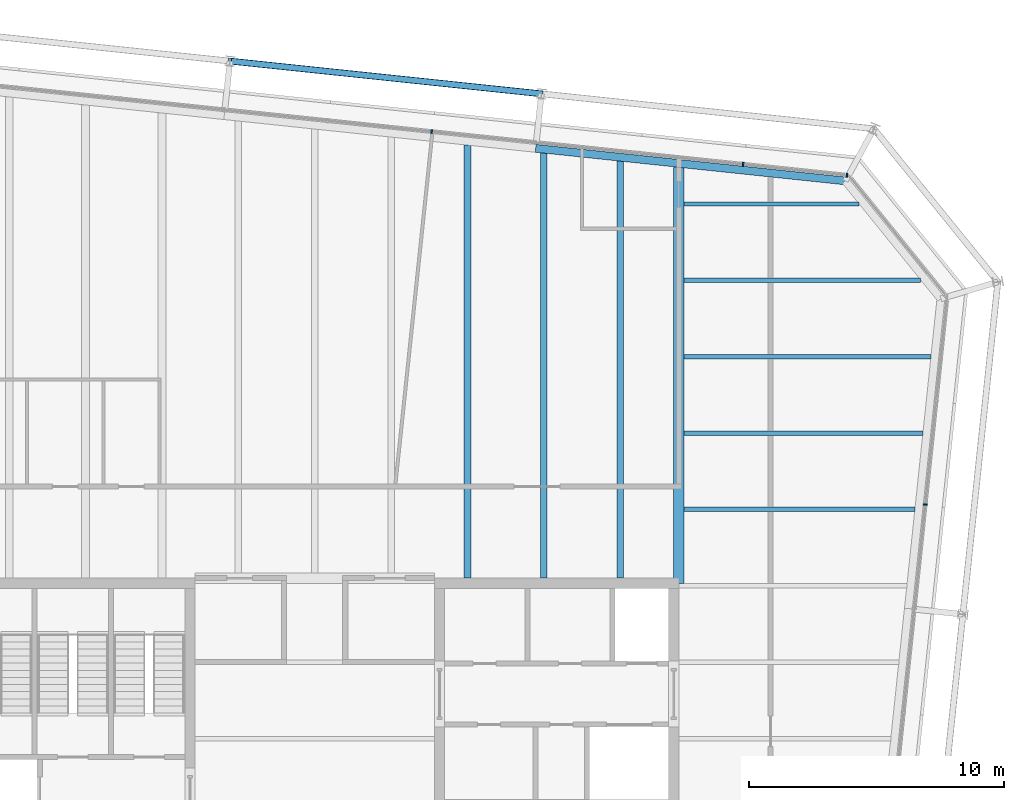
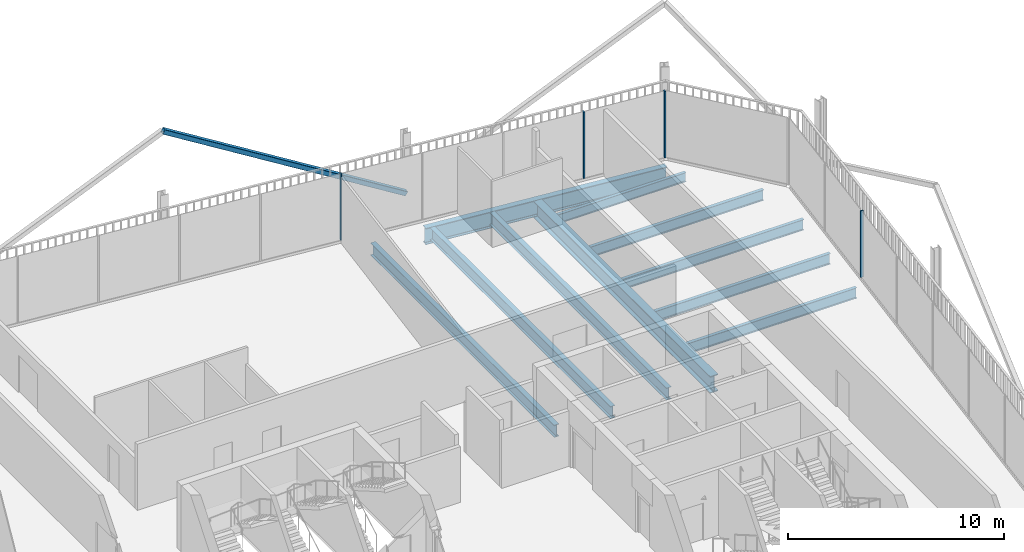
# One storey, part 14 of 21: 10 beams, 5 members, 2 elements without a shape of their own.
"""IFC4 building model written with IfcOpenShell, lengths in metres."""

from ifc_helpers import new_model, si_unit, direction, frame, origin, origin_2d, place, context, subcontext, project, spatial, rectangle, hollow_rectangle, i_section, extrude, material, layer, layer_set, material_profile, profile_set, type_object, element, aggregate, save


model = new_model("IFC4")

# Units and contexts
model_context = context("Model", 3, precision=1e-05, world=origin(), true_north=direction((0.0, 1.0)))
body_context = subcontext(model_context, "Body", "Model", "MODEL_VIEW")
ifc_project = project(units=[si_unit("LENGTHUNIT", "METRE"), si_unit("AREAUNIT", "SQUARE_METRE"), si_unit("VOLUMEUNIT", "CUBIC_METRE"), si_unit("PLANEANGLEUNIT", "RADIAN"), si_unit("MASSUNIT", "GRAM", prefix="KILO")], contexts=[model_context])

# Site, building, storey
site_placement = place(None, origin())
site = spatial("IfcSite", under=ifc_project, at=site_placement, CompositionType="ELEMENT")
building_placement = place(site_placement, origin())
building = spatial("IfcBuilding", under=site, at=building_placement, Name="Millrace Tower", CompositionType="ELEMENT")
storey_placement = place(building_placement, frame((0.0, 0.0, 291.60009765625)))
storey = spatial("IfcBuildingStorey", under=building, at=storey_placement, Name="L67", CompositionType="ELEMENT", Elevation=291.60009765625)

# Curtain wall, member
ifc_material_1 = material(Name="Aluminium and glass", Category="aluminium")
ifc_layer = layer(ifc_material_1, 0.14990234375)
ifc_layer_set = layer_set([ifc_layer], Name="Aluminium and glass")
curtain_wall_type = type_object("IfcCurtainWallType", Name="CW-1 office vision curtain wall", PredefinedType="NOTDEFINED", material=ifc_layer_set)
placement = place(storey_placement, origin())
curtain_wall_1 = element("IfcCurtainWall", 1, at=placement, inside=storey, type_object=curtain_wall_type, Name="Curtain wall E-F04 L67", PredefinedType="NOTDEFINED")
ifc_material_2 = material(Name="Aluminium", Category="aluminium")
ifc_material_profile_1 = material_profile(ifc_material_2, rectangle(XDim=0.06494140625, YDim=0.14990234375, at=origin_2d()))
ifc_profile_set_1 = profile_set([ifc_material_profile_1], Name="Aluminium")
member_type_1 = type_object("IfcMemberType", Name="CW-1 office vision curtain wall mullion", PredefinedType="MULLION", material=ifc_profile_set_1)
member_1_placement = place(storey_placement, frame((23.974853515625, 12.1904296875, 0.139892578125), z_axis=(0.0, 0.0, 1.0), x_axis=(0.104528455196, 0.994521896217, 0.0)))
member_1 = element("IfcMember", 2, at=member_1_placement, type_object=member_type_1, Name="CW1 mullion E-F04.8", PredefinedType="MULLION", context=body_context, shape_type="SweptSolid", body=[
    extrude(rectangle(XDim=0.06494140625, YDim=0.14990234375, at=origin_2d()), origin(), (0.0, 0.0, 1.0), 3.760009765625),
])
aggregate(curtain_wall_1, [member_1])

# Curtain wall, members
curtain_wall_2 = element("IfcCurtainWall", 3, at=placement, inside=storey, type_object=curtain_wall_type, Name="Curtain wall E-F06 L67", PredefinedType="NOTDEFINED")
member_2_placement = place(storey_placement, frame((20.902587890625, 25.124755859375, 0.139892578125), z_axis=(0.0, 0.0, 1.0), x_axis=(-0.994521896217, 0.104528455196, 0.0)))
member_2 = element("IfcMember", 4, at=member_2_placement, type_object=member_type_1, Name="CW1 mullion E-F06.1", PredefinedType="MULLION", context=body_context, shape_type="SweptSolid", body=[
    extrude(rectangle(XDim=0.06494140625, YDim=0.14990234375, at=origin_2d()), origin(), (0.0, 0.0, 1.0), 3.760009765625),
])
member_3_placement = place(storey_placement, frame((16.824951171875, 25.553466796875, 0.139892578125), z_axis=(0.0, 0.0, 1.0), x_axis=(-0.994521896217, 0.104528455196, 0.0)))
member_3 = element("IfcMember", 5, at=member_3_placement, type_object=member_type_1, Name="CW1 mullion E-F06.2", PredefinedType="MULLION", context=body_context, shape_type="SweptSolid", body=[
    extrude(rectangle(XDim=0.06494140625, YDim=0.14990234375, at=origin_2d()), origin(), (0.0, 0.0, 1.0), 3.760009765625),
])
member_4_placement = place(storey_placement, frame((4.59228515625, 26.839111328125, 0.139892578125), z_axis=(0.0, 0.0, 1.0), x_axis=(-0.994521896217, 0.104528455196, 0.0)))
member_4 = element("IfcMember", 6, at=member_4_placement, type_object=member_type_1, Name="CW1 mullion E-F06.5", PredefinedType="MULLION", context=body_context, shape_type="SweptSolid", body=[
    extrude(rectangle(XDim=0.06494140625, YDim=0.14990234375, at=origin_2d()), origin(), (0.0, 0.0, 1.0), 3.760009765625),
])
aggregate(curtain_wall_2, [member_2, member_3, member_4])

# Member
ifc_material_3 = material(Name="Steel ASTM A500 Grade C", Category="steel")
ifc_material_profile_2 = material_profile(ifc_material_3, hollow_rectangle(XDim=0.25390625, YDim=0.25390625, WallThickness=0.0126953125, InnerFilletRadius=0.00634765625, OuterFilletRadius=0.01904296875, at=origin_2d()))
ifc_profile_set_2 = profile_set([ifc_material_profile_2], Name="Steel ASTM A500 Grade C")
member_type_2 = type_object("IfcMemberType", Name="Exoskeleton brace HSS10x10x1/2", PredefinedType="BRACE", material=ifc_profile_set_2)
member_5_placement = place(storey_placement, frame((8.9033203125, 28.321533203125, 0.39990234375), z_axis=(-0.864351522622, 0.090842732624, 0.494615045537), x_axis=(-0.104523600289, -0.994522406476, 0.0)))
element("IfcMember", 7, at=member_5_placement, inside=storey, type_object=member_type_2, Name="BRC-E-L67-11", PredefinedType="BRACE", context=body_context, shape_type="SweptSolid", body=[
    extrude(hollow_rectangle(XDim=0.25390625, YDim=0.25390625, WallThickness=0.0126953125, InnerFilletRadius=0.00634765625, OuterFilletRadius=0.01904296875, at=origin_2d()), origin(), (0.0, 0.0, 1.0), 14.15234375),
])

# Beams
ifc_material_4 = material(Name="Steel ASTM A992 Grade 50", Category="steel")
ifc_material_profile_3 = material_profile(ifc_material_4, i_section(OverallWidth=0.1650390625, OverallDepth=0.52587890625, WebThickness=0.0087890625, FlangeThickness=0.011474609375, FilletRadius=0.0126953125, at=origin_2d()))
ifc_profile_set_3 = profile_set([ifc_material_profile_3], Name="Steel ASTM A992 Grade 50")
beam_type_1 = type_object("IfcBeamType", Name="Floor beam W21x44", PredefinedType="JOIST", material=ifc_profile_set_3)
beam_1_placement = place(storey_placement, frame((14.509521484375, 24.0, -0.423095703125), z_axis=(1.0, 0.0, 0.0), x_axis=(0.0, 1.0, 0.0)))
element("IfcBeam", 8, at=beam_1_placement, inside=storey, type_object=beam_type_1, Name="BM-E-L67-S1-S034", PredefinedType="JOIST", context=body_context, shape_type="SweptSolid", body=[
    extrude(i_section(OverallWidth=0.1650390625, OverallDepth=0.52587890625, WebThickness=0.0087890625, FlangeThickness=0.011474609375, FilletRadius=0.0126953125, at=origin_2d()), origin(), (0.0, 0.0, 1.0), 6.861572265625),
])
ifc_material_5 = material(Name="Steel ASTM A992 Grade 50", Category="steel")
ifc_material_profile_4 = material_profile(ifc_material_5, i_section(OverallWidth=0.177978515625, OverallDepth=0.599365234375, WebThickness=0.010009765625, FlangeThickness=0.012939453125, FilletRadius=0.012939453125, at=origin_2d()))
ifc_profile_set_4 = profile_set([ifc_material_profile_4], Name="Steel ASTM A992 Grade 50")
beam_type_2 = type_object("IfcBeamType", Name="Floor beam W24x55", PredefinedType="JOIST", material=ifc_profile_set_4)
beam_2_placement = place(storey_placement, frame((14.509521484375, 12.0, -0.459716796875), z_axis=(1.0, 0.0, 0.0), x_axis=(0.0, 1.0, 0.0)))
element("IfcBeam", 9, at=beam_2_placement, inside=storey, type_object=beam_type_2, Name="BM-E-L67-S1-S026", PredefinedType="JOIST", context=body_context, shape_type="SweptSolid", body=[
    extrude(i_section(OverallWidth=0.177978515625, OverallDepth=0.599365234375, WebThickness=0.010009765625, FlangeThickness=0.012939453125, FilletRadius=0.012939453125, at=origin_2d()), origin(), (0.0, 0.0, 1.0), 9.060791015625),
])
beam_3_placement = place(storey_placement, frame((14.509521484375, 15.0, -0.459716796875), z_axis=(1.0, 0.0, 0.0), x_axis=(0.0, 1.0, 0.0)))
element("IfcBeam", 10, at=beam_3_placement, inside=storey, type_object=beam_type_2, Name="BM-E-L67-S1-S028", PredefinedType="JOIST", context=body_context, shape_type="SweptSolid", body=[
    extrude(i_section(OverallWidth=0.177978515625, OverallDepth=0.599365234375, WebThickness=0.010009765625, FlangeThickness=0.012939453125, FilletRadius=0.012939453125, at=origin_2d()), origin(), (0.0, 0.0, 1.0), 9.376220703125),
])
beam_4_placement = place(storey_placement, frame((14.509521484375, 18.0, -0.459716796875), z_axis=(1.0, 0.0, 0.0), x_axis=(0.0, 1.0, 0.0)))
element("IfcBeam", 11, at=beam_4_placement, inside=storey, type_object=beam_type_2, Name="BM-E-L67-S1-S030", PredefinedType="JOIST", context=body_context, shape_type="SweptSolid", body=[
    extrude(i_section(OverallWidth=0.177978515625, OverallDepth=0.599365234375, WebThickness=0.010009765625, FlangeThickness=0.012939453125, FilletRadius=0.012939453125, at=origin_2d()), origin(), (0.0, 0.0, 1.0), 9.69140625),
])
beam_5_placement = place(storey_placement, frame((14.509521484375, 21.0, -0.459716796875), z_axis=(1.0, 0.0, 0.0), x_axis=(0.0, 1.0, 0.0)))
element("IfcBeam", 12, at=beam_5_placement, inside=storey, type_object=beam_type_2, Name="BM-E-L67-S1-S032", PredefinedType="JOIST", context=body_context, shape_type="SweptSolid", body=[
    extrude(i_section(OverallWidth=0.177978515625, OverallDepth=0.599365234375, WebThickness=0.010009765625, FlangeThickness=0.012939453125, FilletRadius=0.012939453125, at=origin_2d()), origin(), (0.0, 0.0, 1.0), 9.282958984375),
])
ifc_material_6 = material(Name="Steel ASTM A992 Grade 50", Category="steel")
ifc_material_profile_5 = material_profile(ifc_material_6, i_section(OverallWidth=0.256591796875, OverallDepth=0.693359375, WebThickness=0.014404296875, FlangeThickness=0.023681640625, FilletRadius=0.01513671875, at=origin_2d()))
ifc_profile_set_5 = profile_set([ifc_material_profile_5], Name="Steel ASTM A992 Grade 50")
beam_type_3 = type_object("IfcBeamType", Name="Floor beam W27x114", PredefinedType="JOIST", material=ifc_profile_set_5)
beam_6_placement = place(storey_placement, frame((6.0, 9.300048828125, -0.5068359375), z_axis=(0.0, 1.0, 0.0), x_axis=(-1.0, 0.0, 0.0)))
element("IfcBeam", 13, at=beam_6_placement, inside=storey, type_object=beam_type_3, Name="BM-E-L67-S1-S048", PredefinedType="JOIST", context=body_context, shape_type="SweptSolid", body=[
    extrude(i_section(OverallWidth=0.256591796875, OverallDepth=0.693359375, WebThickness=0.014404296875, FlangeThickness=0.023681640625, FilletRadius=0.01513671875, at=origin_2d()), origin(), (0.0, 0.0, 1.0), 17.006591796875),
])
beam_7_placement = place(storey_placement, frame((9.0, 9.300048828125, -0.5068359375), z_axis=(0.0, 1.0, 0.0), x_axis=(-1.0, 0.0, 0.0)))
element("IfcBeam", 14, at=beam_7_placement, inside=storey, type_object=beam_type_3, Name="BM-E-L67-S1-S050", PredefinedType="JOIST", context=body_context, shape_type="SweptSolid", body=[
    extrude(i_section(OverallWidth=0.256591796875, OverallDepth=0.693359375, WebThickness=0.014404296875, FlangeThickness=0.023681640625, FilletRadius=0.01513671875, at=origin_2d()), origin(), (0.0, 0.0, 1.0), 16.69140625),
])
beam_8_placement = place(storey_placement, frame((12.0, 9.300048828125, -0.5068359375), z_axis=(0.0, 1.0, 0.0), x_axis=(-1.0, 0.0, 0.0)))
element("IfcBeam", 15, at=beam_8_placement, inside=storey, type_object=beam_type_3, Name="BM-E-L67-S1-S052", PredefinedType="JOIST", context=body_context, shape_type="SweptSolid", body=[
    extrude(i_section(OverallWidth=0.256591796875, OverallDepth=0.693359375, WebThickness=0.014404296875, FlangeThickness=0.023681640625, FilletRadius=0.01513671875, at=origin_2d()), origin(), (0.0, 0.0, 1.0), 16.3759765625),
])
ifc_material_7 = material(Name="Steel ASTM A992 Grade 50", Category="steel")
ifc_material_profile_6 = material_profile(ifc_material_7, i_section(OverallWidth=0.424072265625, OverallDepth=0.947509765625, WebThickness=0.02392578125, FlangeThickness=0.042724609375, FilletRadius=0.024169921875, at=origin_2d()))
ifc_profile_set_6 = profile_set([ifc_material_profile_6], Name="Steel ASTM A992 Grade 50")
beam_type_4 = type_object("IfcBeamType", Name="Girder medium span W36x302", PredefinedType="BEAM", material=ifc_profile_set_6)
beam_9_placement = place(storey_placement, frame((14.300048828125, 9.092041015625, -0.6337890625), z_axis=(0.0, 1.0, 0.0), x_axis=(-1.0, 0.0, 0.0)))
element("IfcBeam", 16, at=beam_9_placement, inside=storey, type_object=beam_type_4, Name="BM-E-L67-S1-G056", PredefinedType="BEAM", context=body_context, shape_type="SweptSolid", body=[
    extrude(i_section(OverallWidth=0.424072265625, OverallDepth=0.947509765625, WebThickness=0.02392578125, FlangeThickness=0.042724609375, FilletRadius=0.024169921875, at=origin_2d()), origin(), (0.0, 0.0, 1.0), 16.34228515625),
])
ifc_material_8 = material(Name="Steel ASTM A992 Grade 50", Category="steel")
ifc_material_profile_7 = material_profile(ifc_material_8, i_section(OverallWidth=0.307373046875, OverallDepth=0.927001953125, WebThickness=0.01953125, FlangeThickness=0.031982421875, FilletRadius=0.01904296875, at=origin_2d()))
ifc_profile_set_7 = profile_set([ifc_material_profile_7], Name="Steel ASTM A992 Grade 50")
beam_type_5 = type_object("IfcBeamType", Name="Ring beam medium span W36x194", PredefinedType="SPANDREL", material=ifc_profile_set_7)
beam_10_placement = place(storey_placement, frame((8.67822265625, 26.1796875, -0.62353515625), z_axis=(0.994521948696, -0.104527955888, 0.0), x_axis=(0.104527955888, 0.994521948696, 0.0)))
element("IfcBeam", 17, at=beam_10_placement, inside=storey, type_object=beam_type_5, Name="RNG-E-L67-S1-07", PredefinedType="SPANDREL", context=body_context, shape_type="SweptSolid", body=[
    extrude(i_section(OverallWidth=0.307373046875, OverallDepth=0.927001953125, WebThickness=0.01953125, FlangeThickness=0.031982421875, FilletRadius=0.01904296875, at=origin_2d()), origin(), (0.0, 0.0, 1.0), 12.236572265625),
])

save(model, "model.ifc")
